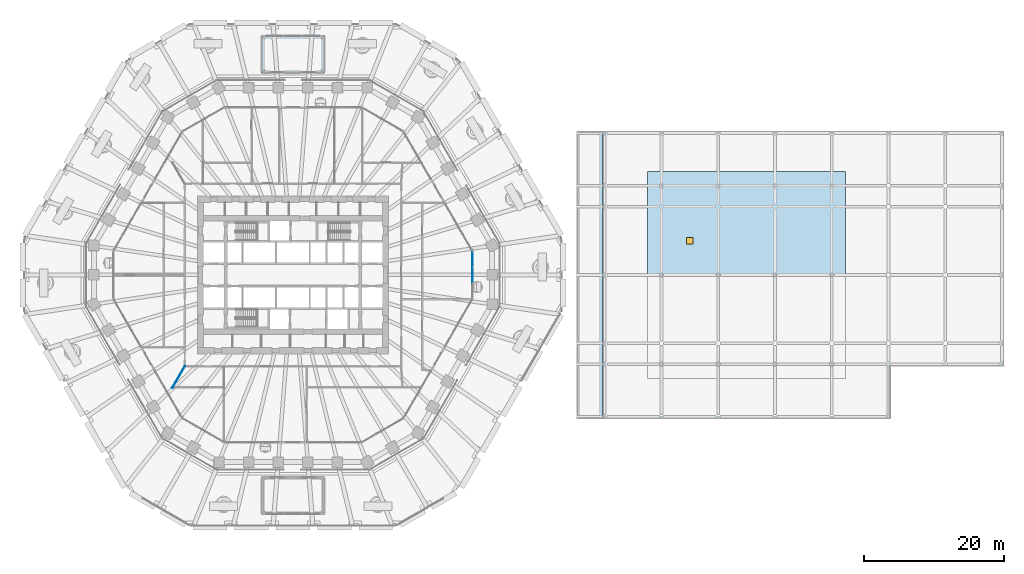
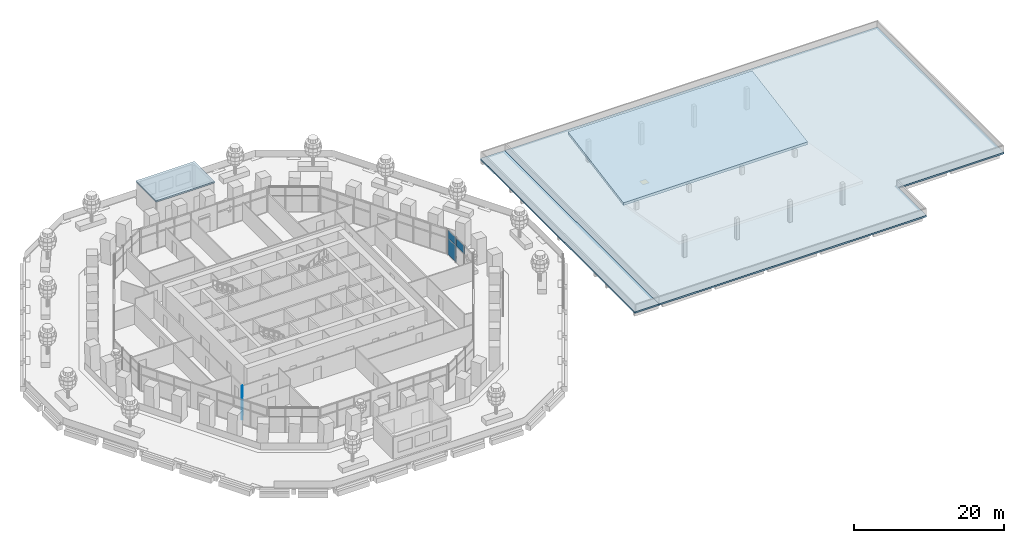
# One storey, part 21 of 32: 4 slabs, 3 plates, 1 wall, 1 window, 1 opening, 1 element without a shape of its own.
"""IFC4 building model written with IfcOpenShell, lengths in metres."""

from ifc_helpers import new_model, si_unit, direction, frame, frame_2d, origin, origin_2d, place, context, subcontext, project, spatial, polyline, rectangle, outline, extrude, material, layer, layer_set, type_object, element, fill, aggregate, save


model = new_model("IFC4")

# Units and contexts
model_context = context("Model", 3, precision=1e-05, world=origin(), true_north=direction((0.0, 1.0)))
body_context = subcontext(model_context, "Body", "Model", "MODEL_VIEW")
ifc_project = project(units=[si_unit("LENGTHUNIT", "METRE"), si_unit("AREAUNIT", "SQUARE_METRE"), si_unit("VOLUMEUNIT", "CUBIC_METRE"), si_unit("PLANEANGLEUNIT", "RADIAN"), si_unit("MASSUNIT", "GRAM", prefix="KILO")], contexts=[model_context])

# Site, building, storey
site_placement = place(None, origin())
site = spatial("IfcSite", under=ifc_project, at=site_placement, CompositionType="ELEMENT")
building_placement = place(site_placement, origin())
building = spatial("IfcBuilding", under=site, at=building_placement, Name="Frailejon Research Tower", CompositionType="ELEMENT")
storey_placement = place(building_placement, frame((0.0, 0.0, 14.60009765625)))
storey = spatial("IfcBuildingStorey", under=building, at=storey_placement, Name="L03", CompositionType="ELEMENT", Elevation=14.60009765625)

# Curtain wall, plates
ifc_material_1 = material(Name="Aluminium curtain wall", Category="aluminium")
curtain_wall_type = type_object("IfcCurtainWallType", Name="Base zone unitised curtain wall system", PredefinedType="NOTDEFINED", material=ifc_material_1)
curtain_wall_placement = place(storey_placement, origin())
curtain_wall = element("IfcCurtainWall", 1, at=curtain_wall_placement, inside=storey, type_object=curtain_wall_type, Name="Curtain wall L03", PredefinedType="NOTDEFINED")
ifc_material_2 = material(Name="Clear laminated glass", Category="glass")
ifc_layer_1 = layer(ifc_material_2, 0.028076171875)
ifc_layer_set_1 = layer_set([ifc_layer_1], Name="Base zone unitised curtain wall glass panel 28")
plate_type = type_object("IfcPlateType", Name="Base zone unitised curtain wall glass panel 28", PredefinedType="CURTAIN_PANEL", material=ifc_layer_set_1)
plate_1_placement = place(storey_placement, frame((25.61279296875, 0.0, 2.72998046875), z_axis=(0.0, 0.0, 1.0), x_axis=(0.0, 1.0, 0.0)))
plate_1 = element("IfcPlate", 2, at=plate_1_placement, type_object=plate_type, Name="CW3-045 panel 2.2", PredefinedType="CURTAIN_PANEL", context=body_context, shape_type="SweptSolid", body=[
    extrude(rectangle(XDim=2.164794921875, YDim=0.028076171875, at=origin_2d()), origin(), (0.0, 0.0, 1.0), 1.31005859375),
])
plate_2_placement = place(storey_placement, frame((25.61279296875, 2.2099609375, 0.06005859375), z_axis=(0.0, 0.0, 1.0), x_axis=(0.0, 1.0, 0.0)))
plate_2 = element("IfcPlate", 3, at=plate_2_placement, type_object=plate_type, Name="CW3-045 panel 3.1", PredefinedType="CURTAIN_PANEL", context=body_context, shape_type="SweptSolid", body=[
    extrude(rectangle(XDim=2.134765625, YDim=0.028076171875, at=origin_2d()), origin(), (0.0, 0.0, 1.0), 2.610107421875),
])
plate_3_placement = place(storey_placement, frame((25.61279296875, 2.2099609375, 2.72998046875), z_axis=(0.0, 0.0, 1.0), x_axis=(0.0, 1.0, 0.0)))
plate_3 = element("IfcPlate", 4, at=plate_3_placement, type_object=plate_type, Name="CW3-045 panel 3.2", PredefinedType="CURTAIN_PANEL", context=body_context, shape_type="SweptSolid", body=[
    extrude(rectangle(XDim=2.134765625, YDim=0.028076171875, at=origin_2d()), origin(), (0.0, 0.0, 1.0), 1.31005859375),
])
aggregate(curtain_wall, [plate_1, plate_2, plate_3])

# Slab, opening, window
ifc_material_3 = material(Name="Concrete C35/45", Category="concrete")
ifc_layer_2 = layer(ifc_material_3, 0.25)
ifc_layer_set_2 = layer_set([ifc_layer_2], Name="HC roof slab 250")
slab_type_1 = type_object("IfcSlabType", Name="HC roof slab 250", PredefinedType="ROOF", material=ifc_layer_set_2)
slab_1_placement = place(storey_placement, frame((0.0, 0.0, -0.25)))
slab_1 = element("IfcSlab", 5, at=slab_1_placement, inside=storey, type_object=slab_type_1, Name="HC roof slab", PredefinedType="ROOF", context=body_context, shape_type="SweptSolid", body=[
    extrude(outline(polyline([(85.300048828125, -20.550048828125), (44.199951171875, -20.550048828125), (44.199951171875, -13.050048828125), (44.199951171875, 20.550048828125), (85.300048828125, 20.550048828125), (101.5, 20.550048828125), (101.5, -13.050048828125), (85.300048828125, -13.050048828125), (85.300048828125, -20.550048828125)])), origin(), (0.0, 0.0, 1.0), 0.25),
])
opening_placement = place(slab_1_placement, frame((56.64990234375, 4.875, 0.0)))
opening = element("IfcOpeningElement", 6, at=opening_placement, cuts=slab_1, Name="Opening HCH1", PredefinedType="OPENING", context=body_context, shape_type="SweptSolid", body=[
    extrude(rectangle(XDim=0.89990234375, YDim=0.89990234375, at=origin_2d()), origin(), (0.0, 0.0, 1.0), 0.25),
])
ifc_material_4 = material(Name="Aluminium framed insulated hatch", Category="aluminium")
window_type = type_object("IfcWindowType", Name="HC roof access hatch 900", PartitioningType="SINGLE_PANEL", PredefinedType="SKYLIGHT", material=ifc_material_4)
window_placement = place(opening_placement, frame((0.0, 0.0, 0.199951171875)))
window = element("IfcWindow", 7, at=window_placement, inside=storey, type_object=window_type, Name="HC roof access hatch", OverallHeight=0.89990234375, OverallWidth=0.89990234375, PartitioningType="SINGLE_PANEL", PredefinedType="SKYLIGHT", context=body_context, shape_type="SweptSolid", body=[
    extrude(rectangle(XDim=0.89990234375, YDim=0.89990234375, at=origin_2d()), origin(), (0.0, 0.0, 1.0), 0.050048828125),
])
fill(opening, window)

# Slabs
slab_2_placement = place(storey_placement, frame((0.0, 0.0, -0.25)))
element("IfcSlab", 8, at=slab_2_placement, inside=storey, type_object=slab_type_1, Name="HC movement joint canopy roof", PredefinedType="ROOF", context=body_context, shape_type="SweptSolid", body=[
    extrude(outline(polyline([(44.199951171875, -20.550048828125), (44.199951171875, 20.550048828125), (40.5, 20.550048828125), (40.5, -20.550048828125), (44.199951171875, -20.550048828125)])), origin(), (0.0, 0.0, 1.0), 0.25),
])
ifc_material_5 = material(Name="Concrete C35/45", Category="concrete")
ifc_layer_3 = layer(ifc_material_5, 0.449951171875)
ifc_layer_set_3 = layer_set([ifc_layer_3], Name="HC umbrella roof slab 450")
slab_type_2 = type_object("IfcSlabType", Name="HC umbrella roof slab 450", PredefinedType="ROOF", material=ifc_layer_set_3)
slab_3_placement = place(storey_placement, frame((50.60009765625, 0.0, 1.25), z_axis=(0.0, -0.173632829246, 0.98481045923), x_axis=(1.0, 0.0, 0.0)))
element("IfcSlab", 9, at=slab_3_placement, inside=storey, type_object=slab_type_2, Name="HC umbrella roof wing north", PredefinedType="ROOF", context=body_context, shape_type="SweptSolid", body=[
    extrude(outline(polyline([(0.0, 0.0), (28.2998046875, 0.0), (28.2998046875, 14.977501367662189), (0.0, 14.977501367662189), (0.0, 0.0)])), origin(), (0.0, 0.173632829246, 0.98481045923), 0.449951171875),
])
ifc_material_6 = material(Name="Concrete C40/50", Category="concrete")
ifc_layer_4 = layer(ifc_material_6, 0.25)
ifc_layer_set_4 = layer_set([ifc_layer_4], Name="Pavilion roof slab 250")
slab_type_3 = type_object("IfcSlabType", Name="Pavilion roof slab 250", PredefinedType="ROOF", material=ifc_layer_set_4)
slab_4_placement = place(storey_placement, frame((0.0, 0.0, 3.599853515625)))
element("IfcSlab", 10, at=slab_4_placement, inside=storey, type_object=slab_type_3, Name="Garden pavilion roof L03", PredefinedType="ROOF", context=body_context, shape_type="SweptSolid", body=[
    extrude(outline(polyline([(4.5, 28.800048828125), (4.5, 34.199951171875), (-4.5, 34.199951171875), (-4.5, 28.800048828125), (4.5, 28.800048828125)])), origin(), (0.0, 0.0, 1.0), 0.25),
])

# Wall
ifc_material_7 = material(Name="Gypsum board and masonry partition", Category="masonry")
ifc_layer_5 = layer(ifc_material_7, 0.10009765625)
ifc_layer_set_5 = layer_set([ifc_layer_5], Name="Partition, gypsum on steel studs 100")
wall_type = type_object("IfcWallType", Name="Partition, gypsum on steel studs 100", PredefinedType="PARTITIONING", material=ifc_layer_set_5)
wall_placement = place(storey_placement, frame((-17.23974609375, -16.11474609375, 0.0), z_axis=(0.0, 0.0, 1.0), x_axis=(0.5042856215, 0.863536919852, 0.0)))
element("IfcWall", 11, at=wall_placement, inside=storey, type_object=wall_type, Name="T:IW:L03:029", PredefinedType="PARTITIONING", context=body_context, shape_type="SweptSolid", body=[
    extrude(rectangle(XDim=3.624267578125, YDim=0.10009765625, at=frame_2d((1.81201171875, 0.0))), origin(), (0.0, 0.0, 1.0), 3.0498046875),
])

save(model, "model.ifc")
